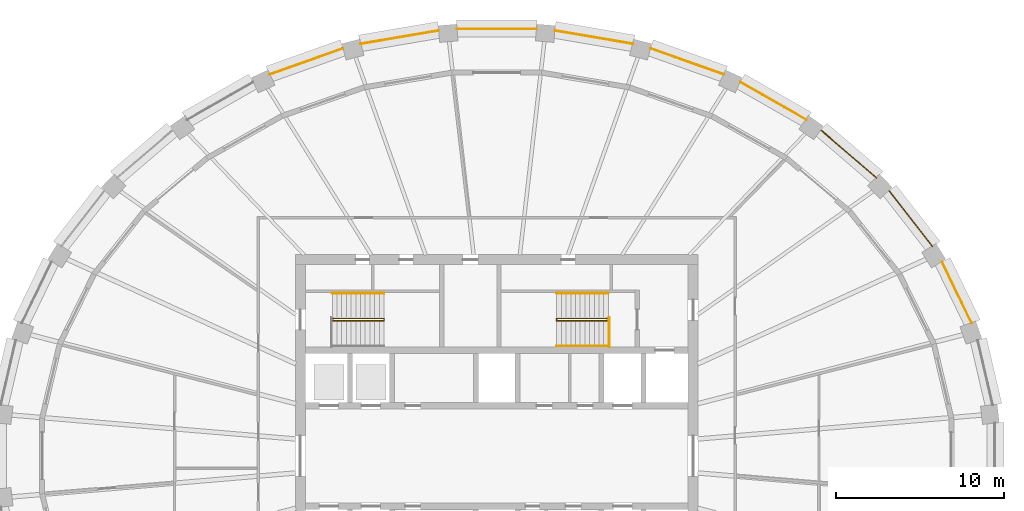
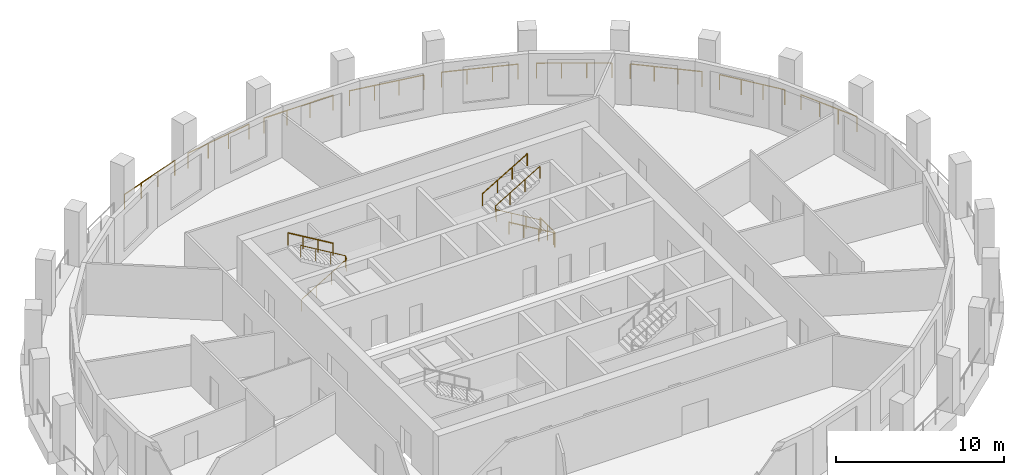
# One storey, part 9 of 10: 15 railings.
"""IFC4 building model written with IfcOpenShell, lengths in metres."""

from ifc_helpers import new_model, si_unit, direction, frame, origin, origin_2d, place, context, subcontext, project, spatial, circle, extrude, material, type_object, element, save


model = new_model("IFC4")

# Units and contexts
model_context = context("Model", 3, precision=1e-05, world=origin(), true_north=direction((0.0, 1.0)))
body_context = subcontext(model_context, "Body", "Model", "MODEL_VIEW")
ifc_project = project(units=[si_unit("LENGTHUNIT", "METRE"), si_unit("AREAUNIT", "SQUARE_METRE"), si_unit("VOLUMEUNIT", "CUBIC_METRE"), si_unit("PLANEANGLEUNIT", "RADIAN"), si_unit("MASSUNIT", "GRAM", prefix="KILO")], contexts=[model_context])

# Site, building, storey
site_placement = place(None, origin())
site = spatial("IfcSite", under=ifc_project, at=site_placement, CompositionType="ELEMENT")
building_placement = place(site_placement, origin())
building = spatial("IfcBuilding", under=site, at=building_placement, Name="Halqa Exchange Tower", CompositionType="ELEMENT")
storey_placement = place(building_placement, frame((0.0, 0.0, 276.300048828125)))
storey = spatial("IfcBuildingStorey", under=building, at=storey_placement, Name="L64", CompositionType="ELEMENT", Elevation=276.300048828125)

# Railings
ifc_material = material(Name="Stainless steel", Category="steel")
railing_type_1 = type_object("IfcRailingType", Name="Guard 1100 stainless steel", PredefinedType="GUARDRAIL", material=ifc_material)
railing_1_placement = place(storey_placement, frame((28.298095703125, 7.915283203125, 0.0)))
element("IfcRailing", 1, at=railing_1_placement, inside=storey, type_object=railing_type_1, Name="Loggia guard 2", PredefinedType="GUARDRAIL", context=body_context, shape_type="SweptSolid", body=[
    extrude(circle(Radius=0.02392578125, at=origin_2d()), frame((0.0, 0.0, 1.076171875), z_axis=(-0.435164579971, 0.900350925106, 0.0), x_axis=(-0.900350925106, -0.435164579971, 0.0)), (0.0, 0.0, 1.0), 4.041748046875),
    extrude(circle(Radius=0.02099609375, at=origin_2d()), origin(), (0.0, 0.0, 1.0), 1.052001953125),
    extrude(circle(Radius=0.02099609375, at=origin_2d()), frame((-0.586181640625, 1.212890625, 0.0)), (0.0, 0.0, 1.0), 1.052001953125),
    extrude(circle(Radius=0.02099609375, at=origin_2d()), frame((-1.172607421875, 2.426025390625, 0.0)), (0.0, 0.0, 1.0), 1.052001953125),
    extrude(circle(Radius=0.02099609375, at=origin_2d()), frame((-1.7587890625, 3.638916015625, 0.0)), (0.0, 0.0, 1.0), 1.052001953125),
])
railing_2_placement = place(storey_placement, frame((25.9619140625, 12.4833984375, 0.0)))
element("IfcRailing", 2, at=railing_2_placement, inside=storey, type_object=railing_type_1, Name="Loggia guard 3", PredefinedType="GUARDRAIL", context=body_context, shape_type="SweptSolid", body=[
    extrude(circle(Radius=0.02392578125, at=origin_2d()), frame((0.0, 0.0, 1.076171875), z_axis=(-0.614829270223, 0.788660236399, 0.0), x_axis=(-0.788660236399, -0.614829270223, 0.0)), (0.0, 0.0, 1.0), 4.1826171875),
    extrude(circle(Radius=0.02099609375, at=origin_2d()), origin(), (0.0, 0.0, 1.0), 1.052001953125),
    extrude(circle(Radius=0.02099609375, at=origin_2d()), frame((-0.857177734375, 1.099609375, 0.0)), (0.0, 0.0, 1.0), 1.052001953125),
    extrude(circle(Radius=0.02099609375, at=origin_2d()), frame((-1.71435546875, 2.198974609375, 0.0)), (0.0, 0.0, 1.0), 1.052001953125),
    extrude(circle(Radius=0.02099609375, at=origin_2d()), frame((-2.571533203125, 3.298583984375, 0.0)), (0.0, 0.0, 1.0), 1.052001953125),
])
railing_3_placement = place(storey_placement, frame((22.634521484375, 16.57373046875, 0.0)))
element("IfcRailing", 3, at=railing_3_placement, inside=storey, type_object=railing_type_1, Name="Loggia guard 4", PredefinedType="GUARDRAIL", context=body_context, shape_type="SweptSolid", body=[
    extrude(circle(Radius=0.02392578125, at=origin_2d()), frame((0.0, 0.0, 1.076171875), z_axis=(-0.759228833475, 0.650823769095, 0.0), x_axis=(-0.650823769095, -0.759228833475, 0.0)), (0.0, 0.0, 1.0), 4.34423828125),
    extrude(circle(Radius=0.02099609375, at=origin_2d()), origin(), (0.0, 0.0, 1.0), 1.052001953125),
    extrude(circle(Radius=0.02099609375, at=origin_2d()), frame((-1.099365234375, 0.9423828125, 0.0)), (0.0, 0.0, 1.0), 1.052001953125),
    extrude(circle(Radius=0.02099609375, at=origin_2d()), frame((-2.198974609375, 1.885009765625, 0.0)), (0.0, 0.0, 1.0), 1.052001953125),
    extrude(circle(Radius=0.02099609375, at=origin_2d()), frame((-3.29833984375, 2.827392578125, 0.0)), (0.0, 0.0, 1.0), 1.052001953125),
])
railing_4_placement = place(storey_placement, frame((18.441162109375, 20.032470703125, 0.0)))
element("IfcRailing", 4, at=railing_4_placement, inside=storey, type_object=railing_type_1, Name="Loggia guard 5", PredefinedType="GUARDRAIL", context=body_context, shape_type="SweptSolid", body=[
    extrude(circle(Radius=0.02392578125, at=origin_2d()), frame((0.0, 0.0, 1.076171875), z_axis=(-0.867772152033, 0.496962264318, 0.0), x_axis=(-0.496962264318, -0.867772152033, 0.0)), (0.0, 0.0, 1.0), 4.50146484375),
    extrude(circle(Radius=0.02099609375, at=origin_2d()), origin(), (0.0, 0.0, 1.0), 1.052001953125),
    extrude(circle(Radius=0.02099609375, at=origin_2d()), frame((-1.302001953125, 0.74560546875, 0.0)), (0.0, 0.0, 1.0), 1.052001953125),
    extrude(circle(Radius=0.02099609375, at=origin_2d()), frame((-2.604248046875, 1.491455078125, 0.0)), (0.0, 0.0, 1.0), 1.052001953125),
    extrude(circle(Radius=0.02099609375, at=origin_2d()), frame((-3.90625, 2.237060546875, 0.0)), (0.0, 0.0, 1.0), 1.052001953125),
])
railing_5_placement = place(storey_placement, frame((13.539306640625, 22.72705078125, 0.0)))
element("IfcRailing", 5, at=railing_5_placement, inside=storey, type_object=railing_type_1, Name="Loggia guard 6", PredefinedType="GUARDRAIL", context=body_context, shape_type="SweptSolid", body=[
    extrude(circle(Radius=0.02392578125, at=origin_2d()), frame((0.0, 0.0, 1.076171875), z_axis=(-0.942368780764, 0.334575972004, 0.0), x_axis=(-0.334575972004, -0.942368780764, 0.0)), (0.0, 0.0, 1.0), 4.63134765625),
    extrude(circle(Radius=0.02099609375, at=origin_2d()), origin(), (0.0, 0.0, 1.0), 1.052001953125),
    extrude(circle(Radius=0.02099609375, at=origin_2d()), frame((-1.454833984375, 0.5166015625, 0.0)), (0.0, 0.0, 1.0), 1.052001953125),
    extrude(circle(Radius=0.02099609375, at=origin_2d()), frame((-2.90966796875, 1.032958984375, 0.0)), (0.0, 0.0, 1.0), 1.052001953125),
    extrude(circle(Radius=0.02099609375, at=origin_2d()), frame((-4.364501953125, 1.549560546875, 0.0)), (0.0, 0.0, 1.0), 1.052001953125),
])
railing_6_placement = place(storey_placement, frame((8.114501953125, 24.552978515625, 0.0)))
element("IfcRailing", 6, at=railing_6_placement, inside=storey, type_object=railing_type_1, Name="Loggia guard 7", PredefinedType="GUARDRAIL", context=body_context, shape_type="SweptSolid", body=[
    extrude(circle(Radius=0.02392578125, at=origin_2d()), frame((0.0, 0.0, 1.076171875), z_axis=(-0.985774310158, 0.168074416356, 0.0), x_axis=(-0.168074416356, -0.985774310158, 0.0)), (0.0, 0.0, 1.0), 4.716552734375),
    extrude(circle(Radius=0.02099609375, at=origin_2d()), origin(), (0.0, 0.0, 1.0), 1.052001953125),
    extrude(circle(Radius=0.02099609375, at=origin_2d()), frame((-1.5498046875, 0.26416015625, 0.0)), (0.0, 0.0, 1.0), 1.052001953125),
    extrude(circle(Radius=0.02099609375, at=origin_2d()), frame((-3.099609375, 0.528564453125, 0.0)), (0.0, 0.0, 1.0), 1.052001953125),
    extrude(circle(Radius=0.02099609375, at=origin_2d()), frame((-4.6494140625, 0.792724609375, 0.0)), (0.0, 0.0, 1.0), 1.052001953125),
])
railing_7_placement = place(storey_placement, frame((2.373046875, 25.43798828125, 0.0)))
element("IfcRailing", 7, at=railing_7_placement, inside=storey, type_object=railing_type_1, Name="Loggia guard 8", PredefinedType="GUARDRAIL", context=body_context, shape_type="SweptSolid", body=[
    extrude(circle(Radius=0.02392578125, at=origin_2d()), frame((0.0, 0.0, 1.076171875), z_axis=(-1.0, 0.0, 0.0), x_axis=(0.0, -1.0, 0.0)), (0.0, 0.0, 1.0), 4.74609375),
    extrude(circle(Radius=0.02099609375, at=origin_2d()), origin(), (0.0, 0.0, 1.0), 1.052001953125),
    extrude(circle(Radius=0.02099609375, at=origin_2d()), frame((-1.58203125, 0.0, 0.0)), (0.0, 0.0, 1.0), 1.052001953125),
    extrude(circle(Radius=0.02099609375, at=origin_2d()), frame((-3.1640625, 0.0, 0.0)), (0.0, 0.0, 1.0), 1.052001953125),
    extrude(circle(Radius=0.02099609375, at=origin_2d()), frame((-4.74609375, 0.0, 0.0)), (0.0, 0.0, 1.0), 1.052001953125),
])
railing_8_placement = place(storey_placement, frame((-3.465087890625, 25.345703125, 0.0)))
element("IfcRailing", 8, at=railing_8_placement, inside=storey, type_object=railing_type_1, Name="Loggia guard 9", PredefinedType="GUARDRAIL", context=body_context, shape_type="SweptSolid", body=[
    extrude(circle(Radius=0.02392578125, at=origin_2d()), frame((0.0, 0.0, 1.076171875), z_axis=(-0.985774310158, -0.168074416356, 0.0), x_axis=(0.168074416356, -0.985774310158, 0.0)), (0.0, 0.0, 1.0), 4.716552734375),
    extrude(circle(Radius=0.02099609375, at=origin_2d()), origin(), (0.0, 0.0, 1.0), 1.052001953125),
    extrude(circle(Radius=0.02099609375, at=origin_2d()), frame((-1.5498046875, -0.26416015625, 0.0)), (0.0, 0.0, 1.0), 1.052001953125),
    extrude(circle(Radius=0.02099609375, at=origin_2d()), frame((-3.099609375, -0.528564453125, 0.0)), (0.0, 0.0, 1.0), 1.052001953125),
    extrude(circle(Radius=0.02099609375, at=origin_2d()), frame((-4.6494140625, -0.792724609375, 0.0)), (0.0, 0.0, 1.0), 1.052001953125),
])
railing_9_placement = place(storey_placement, frame((-9.1748046875, 24.276611328125, 0.0)))
element("IfcRailing", 9, at=railing_9_placement, inside=storey, type_object=railing_type_1, Name="Loggia guard 10", PredefinedType="GUARDRAIL", context=body_context, shape_type="SweptSolid", body=[
    extrude(circle(Radius=0.02392578125, at=origin_2d()), frame((0.0, 0.0, 1.076171875), z_axis=(-0.942368780764, -0.334575972004, 0.0), x_axis=(0.334575972004, -0.942368780764, 0.0)), (0.0, 0.0, 1.0), 4.63134765625),
    extrude(circle(Radius=0.02099609375, at=origin_2d()), origin(), (0.0, 0.0, 1.0), 1.052001953125),
    extrude(circle(Radius=0.02099609375, at=origin_2d()), frame((-1.454833984375, -0.5166015625, 0.0)), (0.0, 0.0, 1.0), 1.052001953125),
    extrude(circle(Radius=0.02099609375, at=origin_2d()), frame((-2.90966796875, -1.032958984375, 0.0)), (0.0, 0.0, 1.0), 1.052001953125),
    extrude(circle(Radius=0.02099609375, at=origin_2d()), frame((-4.364501953125, -1.549560546875, 0.0)), (0.0, 0.0, 1.0), 1.052001953125),
])
railing_type_2 = type_object("IfcRailingType", Name="Stair handrail 900", PredefinedType="HANDRAIL", material=ifc_material)
railing_10_placement = place(storey_placement, frame((-9.800048828125, 8.06005859375, 0.166748046875)))
element("IfcRailing", 10, at=railing_10_placement, inside=storey, type_object=railing_type_2, Name="Handrail ST1.1", PredefinedType="HANDRAIL", context=body_context, shape_type="SweptSolid", body=[
    extrude(circle(Radius=0.02392578125, at=origin_2d()), frame((0.0, 0.0, 0.8759765625), z_axis=(0.859308565015, 0.0, 0.511457515432), x_axis=(0.0, 1.0, 0.0)), (0.0, 0.0, 1.0), 3.58447265625),
    extrude(circle(Radius=0.02392578125, at=origin_2d()), frame((3.080078125, 0.0, 2.708984375), z_axis=(0.0, 0.614500226555, 0.788916644243), x_axis=(-1.0, 0.0, 0.0)), (0.0, 0.0, 1.0), 0.21142578125),
    extrude(circle(Radius=0.02392578125, at=origin_2d()), frame((3.080078125, 0.1298828125, 2.8759765625), z_axis=(-0.859308565015, 0.0, 0.511457515432), x_axis=(0.0, -1.0, 0.0)), (0.0, 0.0, 1.0), 3.58447265625),
    extrude(circle(Radius=0.02099609375, at=origin_2d()), origin(), (0.0, 0.0, 1.0), 0.851806640625),
    extrude(circle(Radius=0.02099609375, at=origin_2d()), frame((1.026611328125, 0.0, 0.611083984375)), (0.0, 0.0, 1.0), 0.851806640625),
    extrude(circle(Radius=0.02099609375, at=origin_2d()), frame((2.053466796875, 0.0, 1.22216796875)), (0.0, 0.0, 1.0), 0.851806640625),
    extrude(circle(Radius=0.02099609375, at=origin_2d()), frame((3.080078125, 0.0, 1.833251953125)), (0.0, 0.0, 1.0), 0.851806640625),
    extrude(circle(Radius=0.02099609375, at=origin_2d()), frame((3.080078125, 0.1298828125, 2.0)), (0.0, 0.0, 1.0), 0.851806640625),
    extrude(circle(Radius=0.02099609375, at=origin_2d()), frame((2.053466796875, 0.1298828125, 2.611083984375)), (0.0, 0.0, 1.0), 0.851806640625),
    extrude(circle(Radius=0.02099609375, at=origin_2d()), frame((1.026611328125, 0.1298828125, 3.22216796875)), (0.0, 0.0, 1.0), 0.851806640625),
    extrude(circle(Radius=0.02099609375, at=origin_2d()), frame((0.0, 0.1298828125, 3.833251953125)), (0.0, 0.0, 1.0), 0.851806640625),
])
railing_11_placement = place(storey_placement, frame((-6.719970703125, 9.699951171875, 2.166748046875)))
element("IfcRailing", 11, at=railing_11_placement, inside=storey, type_object=railing_type_2, Name="Handrail ST1.3", PredefinedType="HANDRAIL", context=body_context, shape_type="SweptSolid", body=[
    extrude(circle(Radius=0.02392578125, at=origin_2d()), frame((0.0, 0.0, 0.8759765625), z_axis=(-0.859308565015, 0.0, 0.511457515432), x_axis=(0.0, -1.0, 0.0)), (0.0, 0.0, 1.0), 3.58447265625),
    extrude(circle(Radius=0.02099609375, at=origin_2d()), origin(), (0.0, 0.0, 1.0), 0.851806640625),
    extrude(circle(Radius=0.02099609375, at=origin_2d()), frame((-1.026611328125, 0.0, 0.611083984375)), (0.0, 0.0, 1.0), 0.851806640625),
    extrude(circle(Radius=0.02099609375, at=origin_2d()), frame((-2.053466796875, 0.0, 1.22216796875)), (0.0, 0.0, 1.0), 0.851806640625),
    extrude(circle(Radius=0.02099609375, at=origin_2d()), frame((-3.080078125, 0.0, 1.833251953125)), (0.0, 0.0, 1.0), 0.851806640625),
])
railing_12_placement = place(storey_placement, frame((6.64990234375, 8.06005859375, 0.166748046875)))
element("IfcRailing", 12, at=railing_12_placement, inside=storey, type_object=railing_type_2, Name="Handrail ST2.1", PredefinedType="HANDRAIL", context=body_context, shape_type="SweptSolid", body=[
    extrude(circle(Radius=0.02392578125, at=origin_2d()), frame((0.0, 0.0, 0.8759765625), z_axis=(-0.859290745958, 0.0, 0.51148745235), x_axis=(0.0, -1.0, 0.0)), (0.0, 0.0, 1.0), 3.584228515625),
    extrude(circle(Radius=0.02392578125, at=origin_2d()), frame((-3.079833984375, 0.0, 2.708984375), z_axis=(0.0, 0.614500226555, 0.788916644243), x_axis=(-1.0, 0.0, 0.0)), (0.0, 0.0, 1.0), 0.21142578125),
    extrude(circle(Radius=0.02392578125, at=origin_2d()), frame((-3.079833984375, 0.1298828125, 2.8759765625), z_axis=(0.859290745958, 0.0, 0.51148745235), x_axis=(0.0, 1.0, 0.0)), (0.0, 0.0, 1.0), 3.584228515625),
    extrude(circle(Radius=0.02099609375, at=origin_2d()), origin(), (0.0, 0.0, 1.0), 0.851806640625),
    extrude(circle(Radius=0.02099609375, at=origin_2d()), frame((-1.026611328125, 0.0, 0.611083984375)), (0.0, 0.0, 1.0), 0.851806640625),
    extrude(circle(Radius=0.02099609375, at=origin_2d()), frame((-2.05322265625, 0.0, 1.22216796875)), (0.0, 0.0, 1.0), 0.851806640625),
    extrude(circle(Radius=0.02099609375, at=origin_2d()), frame((-3.079833984375, 0.0, 1.833251953125)), (0.0, 0.0, 1.0), 0.851806640625),
    extrude(circle(Radius=0.02099609375, at=origin_2d()), frame((-3.079833984375, 0.1298828125, 2.0)), (0.0, 0.0, 1.0), 0.851806640625),
    extrude(circle(Radius=0.02099609375, at=origin_2d()), frame((-2.05322265625, 0.1298828125, 2.611083984375)), (0.0, 0.0, 1.0), 0.851806640625),
    extrude(circle(Radius=0.02099609375, at=origin_2d()), frame((-1.026611328125, 0.1298828125, 3.22216796875)), (0.0, 0.0, 1.0), 0.851806640625),
    extrude(circle(Radius=0.02099609375, at=origin_2d()), frame((0.0, 0.1298828125, 3.833251953125)), (0.0, 0.0, 1.0), 0.851806640625),
])
railing_13_placement = place(storey_placement, frame((6.64990234375, 6.550048828125, 0.166748046875)))
element("IfcRailing", 13, at=railing_13_placement, inside=storey, type_object=railing_type_2, Name="Handrail ST2.2", PredefinedType="HANDRAIL", context=body_context, shape_type="SweptSolid", body=[
    extrude(circle(Radius=0.02392578125, at=origin_2d()), frame((0.0, 0.0, 0.8759765625), z_axis=(-0.859290745958, 0.0, 0.51148745235), x_axis=(0.0, -1.0, 0.0)), (0.0, 0.0, 1.0), 3.584228515625),
    extrude(circle(Radius=0.02099609375, at=origin_2d()), origin(), (0.0, 0.0, 1.0), 0.851806640625),
    extrude(circle(Radius=0.02099609375, at=origin_2d()), frame((-1.026611328125, 0.0, 0.611083984375)), (0.0, 0.0, 1.0), 0.851806640625),
    extrude(circle(Radius=0.02099609375, at=origin_2d()), frame((-2.05322265625, 0.0, 1.22216796875)), (0.0, 0.0, 1.0), 0.851806640625),
    extrude(circle(Radius=0.02099609375, at=origin_2d()), frame((-3.079833984375, 0.0, 1.833251953125)), (0.0, 0.0, 1.0), 0.851806640625),
])
railing_14_placement = place(storey_placement, frame((3.570068359375, 9.699951171875, 2.166748046875)))
element("IfcRailing", 14, at=railing_14_placement, inside=storey, type_object=railing_type_2, Name="Handrail ST2.3", PredefinedType="HANDRAIL", context=body_context, shape_type="SweptSolid", body=[
    extrude(circle(Radius=0.02392578125, at=origin_2d()), frame((0.0, 0.0, 0.8759765625), z_axis=(0.859290745958, 0.0, 0.51148745235), x_axis=(0.0, 1.0, 0.0)), (0.0, 0.0, 1.0), 3.584228515625),
    extrude(circle(Radius=0.02099609375, at=origin_2d()), origin(), (0.0, 0.0, 1.0), 0.851806640625),
    extrude(circle(Radius=0.02099609375, at=origin_2d()), frame((1.026611328125, 0.0, 0.611083984375)), (0.0, 0.0, 1.0), 0.851806640625),
    extrude(circle(Radius=0.02099609375, at=origin_2d()), frame((2.05322265625, 0.0, 1.22216796875)), (0.0, 0.0, 1.0), 0.851806640625),
    extrude(circle(Radius=0.02099609375, at=origin_2d()), frame((3.079833984375, 0.0, 1.833251953125)), (0.0, 0.0, 1.0), 0.851806640625),
])
railing_type_3 = type_object("IfcRailingType", Name="Stair well guard 1100", PredefinedType="GUARDRAIL", material=ifc_material)
railing_15_placement = place(storey_placement, frame((6.699951171875, 6.5, 0.0)))
element("IfcRailing", 15, at=railing_15_placement, inside=storey, type_object=railing_type_3, Name="Guard ST2 well", PredefinedType="GUARDRAIL", context=body_context, shape_type="SweptSolid", body=[
    extrude(circle(Radius=0.02392578125, at=origin_2d()), frame((0.0, 0.0, 1.076171875), z_axis=(0.0, 1.0, 0.0), x_axis=(-1.0, 0.0, 0.0)), (0.0, 0.0, 1.0), 1.75),
    extrude(circle(Radius=0.02099609375, at=origin_2d()), origin(), (0.0, 0.0, 1.0), 1.052001953125),
    extrude(circle(Radius=0.02099609375, at=origin_2d()), frame((0.0, 0.875, 0.0)), (0.0, 0.0, 1.0), 1.052001953125),
    extrude(circle(Radius=0.02099609375, at=origin_2d()), frame((0.0, 1.75, 0.0)), (0.0, 0.0, 1.0), 1.052001953125),
])

save(model, "model.ifc")
